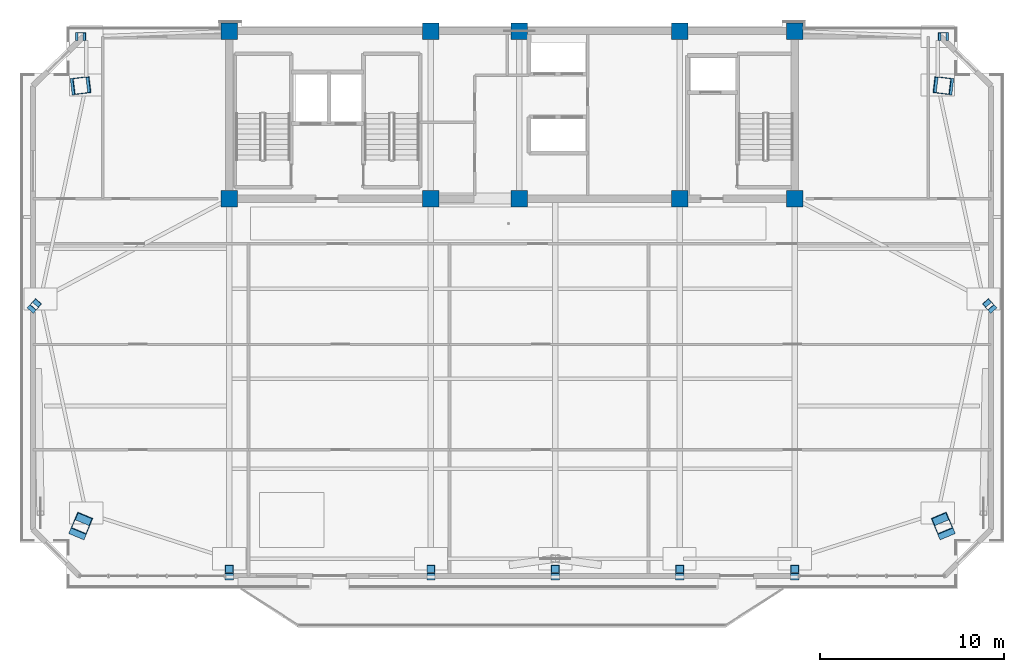
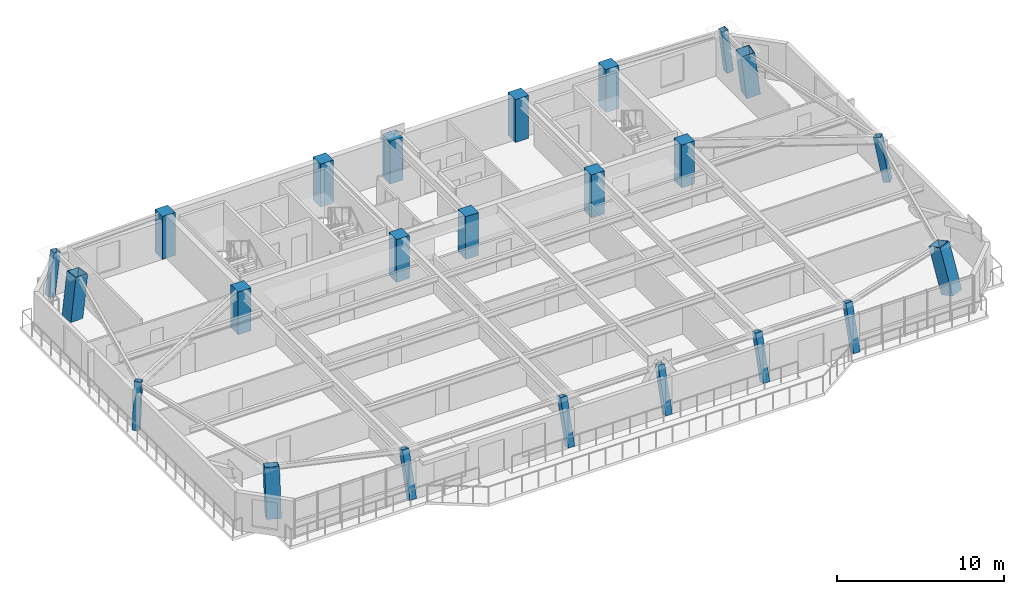
# One storey, part 1 of 15: 23 columns.
"""IFC4 building model written with IfcOpenShell, lengths in metres."""

from ifc_helpers import new_model, si_unit, direction, frame, origin, origin_2d, place, context, subcontext, project, spatial, rectangle, hollow_rectangle, extrude, source, transform, mapped, material, material_profile, profile_set, type_object, element, save


model = new_model("IFC4")

# Units and contexts
model_context = context("Model", 3, precision=1e-05, world=origin(), true_north=direction((0.0, 1.0)))
body_context = subcontext(model_context, "Body", "Model", "MODEL_VIEW")
ifc_project = project(units=[si_unit("LENGTHUNIT", "METRE"), si_unit("AREAUNIT", "SQUARE_METRE"), si_unit("VOLUMEUNIT", "CUBIC_METRE"), si_unit("PLANEANGLEUNIT", "RADIAN"), si_unit("MASSUNIT", "GRAM", prefix="KILO")], contexts=[model_context])

# Site, building, storey
site_placement = place(None, origin())
site = spatial("IfcSite", under=ifc_project, at=site_placement, CompositionType="ELEMENT")
building_placement = place(site_placement, origin())
building = spatial("IfcBuilding", under=site, at=building_placement, Name="Giltprow Tower", CompositionType="ELEMENT")
storey_placement = place(building_placement, frame((0.0, 0.0, 275.699951171875)))
storey = spatial("IfcBuildingStorey", under=building, at=storey_placement, Name="L71", CompositionType="ELEMENT", Elevation=275.699951171875)

# Columns
ifc_material_1 = material(Name="Concrete C45", Category="concrete")
ifc_material_profile_1 = material_profile(ifc_material_1, rectangle(XDim=0.89990234375, YDim=0.89990234375, at=origin_2d()), Name="RC 900x900")
ifc_profile_set_1 = profile_set([ifc_material_profile_1], Name="Concrete C45")
column_type_1 = type_object("IfcColumnType", Name="PIL-RC-900-C45", PredefinedType="PILASTER", material=ifc_profile_set_1)
shared_shape_1 = source(origin(), body_context, "Body", "SweptSolid", [
    extrude(rectangle(XDim=0.89990234375, YDim=0.89990234375, at=origin_2d()), origin(), (0.0, 0.0, 1.0), 3.14013671875),
])
for number, where, z_axis, x_axis, name in (
    (1, (19.85009765625, 37.449951171875, 0.0), (0.0, 0.0, 1.0), (1.0, 0.0, 0.0), "L71 Core Boundary Pilaster 1-1"),
    (2, (19.85009765625, 46.550048828125, 0.0), (0.0, 0.0, 1.0), (1.0, 0.0, 0.0), "L71 Core Boundary Pilaster 1-2"),
    (3, (30.800048828125, 37.449951171875, 0.0), (0.0, 0.0, 1.0), (1.0, 0.0, 0.0), "L71 Core Boundary Pilaster 2-1"),
    (4, (30.800048828125, 46.550048828125, 0.0), (0.0, 0.0, 1.0), (1.0, 0.0, 0.0), "L71 Core Boundary Pilaster 2-2"),
    (5, (35.60009765625, 37.449951171875, 0.0), (0.0, 0.0, 1.0), (1.0, 0.0, 0.0), "L71 Core Boundary Pilaster 3-1"),
    (6, (35.60009765625, 46.550048828125, 0.0), (0.0, 0.0, 1.0), (1.0, 0.0, 0.0), "L71 Core Boundary Pilaster 3-2"),
    (7, (44.300048828125, 37.449951171875, 0.0), (0.0, 0.0, 1.0), (1.0, 0.0, 0.0), "L71 Core Boundary Pilaster 4-1"),
    (8, (44.300048828125, 46.550048828125, 0.0), (0.0, 0.0, 1.0), (1.0, 0.0, 0.0), "L71 Core Boundary Pilaster 4-2"),
    (9, (50.550048828125, 37.449951171875, 0.0), (0.0, 0.0, 1.0), (1.0, 0.0, 0.0), "L71 Core Boundary Pilaster 5-1"),
    (10, (50.550048828125, 46.550048828125, 0.0), (0.0, 0.0, 1.0), (1.0, 0.0, 0.0), "L71 Core Boundary Pilaster 5-2"),
):
    element("IfcColumn", number, at=place(storey_placement, frame(where, z_axis=z_axis, x_axis=x_axis)), inside=storey, type_object=column_type_1, Name=name, PredefinedType="PILASTER", context=body_context, shape_type="MappedRepresentation", body=[
        mapped(shared_shape_1, transform((0.0, 0.0, 0.0), x_axis=(1.0, 0.0, 0.0), y_axis=(0.0, 1.0, 0.0), z_axis=(0.0, 0.0, 1.0), scale=1.0)),
    ])
ifc_material_2 = material(Name="Structural steel Q420GJC", Category="steel")
ifc_material_profile_2 = material_profile(ifc_material_2, hollow_rectangle(XDim=0.89990234375, YDim=0.89990234375, WallThickness=0.0400390625, at=origin_2d()), Name="BOX 900x900x40")
ifc_profile_set_2 = profile_set([ifc_material_profile_2], Name="Structural steel Q420GJC")
column_type_2 = type_object("IfcColumnType", Name="COL-BOX-900x900x40", PredefinedType="COLUMN", material=ifc_profile_set_2)
shared_shape_2 = source(origin(), body_context, "Body", "SweptSolid", [
    extrude(hollow_rectangle(XDim=0.89990234375, YDim=0.89990234375, WallThickness=0.0400390625, at=origin_2d()), origin(), (0.0, 0.0, 1.0), 3.283447265625),
])
column_1_placement = place(storey_placement, frame((11.717041015625, 19.4990234375, 0.0), z_axis=(0.112347812452, 0.269828068424, 0.956331941602), x_axis=(-0.92317473482, 0.384380552305, 0.0)))
element("IfcColumn", 11, at=column_1_placement, inside=storey, type_object=column_type_2, Name="L71 Mega-Column MC_SW", PredefinedType="COLUMN", context=body_context, shape_type="MappedRepresentation", body=[
    mapped(shared_shape_2, transform((0.0, 0.0, 0.0), x_axis=(1.0, 0.0, 0.0), y_axis=(0.0, 1.0, 0.0), z_axis=(0.0, 0.0, 1.0), scale=1.0)),
])
shared_shape_3 = source(origin(), body_context, "Body", "SweptSolid", [
    extrude(hollow_rectangle(XDim=0.89990234375, YDim=0.89990234375, WallThickness=0.0400390625, at=origin_2d()), origin(), (0.0, 0.0, 1.0), 3.28369140625),
])
column_2_placement = place(storey_placement, frame((58.68408203125, 19.4990234375, 0.0), z_axis=(-0.112714863405, 0.269816780538, 0.956291934771), x_axis=(-0.922722971107, -0.38546377079, 0.0)))
element("IfcColumn", 12, at=column_2_placement, inside=storey, type_object=column_type_2, Name="L71 Mega-Column MC_SE", PredefinedType="COLUMN", context=body_context, shape_type="MappedRepresentation", body=[
    mapped(shared_shape_3, transform((0.0, 0.0, 0.0), x_axis=(1.0, 0.0, 0.0), y_axis=(0.0, 1.0, 0.0), z_axis=(0.0, 0.0, 1.0), scale=1.0)),
])
shared_shape_4 = source(origin(), body_context, "Body", "SweptSolid", [
    extrude(hollow_rectangle(XDim=0.89990234375, YDim=0.89990234375, WallThickness=0.0400390625, at=origin_2d()), origin(), (0.0, 0.0, 1.0), 3.162109375),
])
for number, where, z_axis, x_axis, name in (
    (13, (11.717041015625, 43.576904296875, 0.0), (0.1166635759, 0.01428376012, 0.993068771161), (-0.121527982197, 0.992588005944, 0.0), "L71 Mega-Column MC_NW"),
    (14, (58.68408203125, 43.576904296875, 0.0), (-0.117044343461, 0.014283115792, 0.993023974669), (-0.121133055189, -0.992636279279, 0.0), "L71 Mega-Column MC_NE"),
):
    element("IfcColumn", number, at=place(storey_placement, frame(where, z_axis=z_axis, x_axis=x_axis)), inside=storey, type_object=column_type_2, Name=name, PredefinedType="COLUMN", context=body_context, shape_type="MappedRepresentation", body=[
        mapped(shared_shape_4, transform((0.0, 0.0, 0.0), x_axis=(1.0, 0.0, 0.0), y_axis=(0.0, 1.0, 0.0), z_axis=(0.0, 0.0, 1.0), scale=1.0)),
    ])
ifc_material_3 = material(Name="Structural steel Q355B", Category="steel")
ifc_material_profile_3 = material_profile(ifc_material_3, hollow_rectangle(XDim=0.449951171875, YDim=0.449951171875, WallThickness=0.02197265625, at=origin_2d()), Name="BOX 450x450x22")
ifc_profile_set_3 = profile_set([ifc_material_profile_3], Name="Structural steel Q355B")
column_type_3 = type_object("IfcColumnType", Name="COL-BOX-450x450x22", PredefinedType="COLUMN", material=ifc_profile_set_3)
shared_shape_5 = source(origin(), body_context, "Body", "SweptSolid", [
    extrude(hollow_rectangle(XDim=0.449951171875, YDim=0.449951171875, WallThickness=0.02197265625, at=origin_2d()), origin(), (0.0, 0.0, 1.0), 3.275390625),
])
for number, where, z_axis, x_axis, name in (
    (15, (19.85009765625, 16.97607421875, 0.0), (0.0, 0.284501961117, 0.958675458182), (-1.0, 0.0, 0.0), "L71 Perimeter Column S1"),
    (16, (30.800048828125, 16.97607421875, 0.0), (0.0, 0.284501961117, 0.958675458182), (-1.0, 0.0, 0.0), "L71 Perimeter Column S2"),
    (17, (37.550048828125, 16.97607421875, 0.0), (0.0, 0.284501961117, 0.958675458182), (-1.0, 0.0, 0.0), "L71 Perimeter Column S_MID"),
    (18, (44.300048828125, 16.97607421875, 0.0), (0.0, 0.284501961117, 0.958675458182), (-1.0, 0.0, 0.0), "L71 Perimeter Column S3"),
    (19, (50.550048828125, 16.97607421875, 0.0), (0.0, 0.284501961117, 0.958675458182), (-1.0, 0.0, 0.0), "L71 Perimeter Column S4"),
):
    element("IfcColumn", number, at=place(storey_placement, frame(where, z_axis=z_axis, x_axis=x_axis)), inside=storey, type_object=column_type_3, Name=name, PredefinedType="COLUMN", context=body_context, shape_type="MappedRepresentation", body=[
        mapped(shared_shape_5, transform((0.0, 0.0, 0.0), x_axis=(1.0, 0.0, 0.0), y_axis=(0.0, 1.0, 0.0), z_axis=(0.0, 0.0, 1.0), scale=1.0)),
    ])
shared_shape_6 = source(origin(), body_context, "Body", "SweptSolid", [
    extrude(hollow_rectangle(XDim=0.449951171875, YDim=0.449951171875, WallThickness=0.02197265625, at=origin_2d()), origin(), (0.0, 0.0, 1.0), 3.201416015625),
])
column_3_placement = place(storey_placement, frame((9.194091796875, 31.5380859375, 0.0), z_axis=(0.129563314182, 0.145501355773, 0.980837755741), x_axis=(-0.746825952664, 0.665019545899, 0.0)))
element("IfcColumn", 20, at=column_3_placement, inside=storey, type_object=column_type_3, Name="L71 Perimeter Column W_MID", PredefinedType="COLUMN", context=body_context, shape_type="MappedRepresentation", body=[
    mapped(shared_shape_6, transform((0.0, 0.0, 0.0), x_axis=(1.0, 0.0, 0.0), y_axis=(0.0, 1.0, 0.0), z_axis=(0.0, 0.0, 1.0), scale=1.0)),
])
shared_shape_7 = source(origin(), body_context, "Body", "SweptSolid", [
    extrude(hollow_rectangle(XDim=0.449951171875, YDim=0.449951171875, WallThickness=0.02197265625, at=origin_2d()), origin(), (0.0, 0.0, 1.0), 3.20166015625),
])
column_4_placement = place(storey_placement, frame((61.20703125, 31.5380859375, 0.0), z_axis=(-0.129938178607, 0.145494157736, 0.980789233121), x_axis=(-0.745854424638, -0.66610898301, 0.0)))
element("IfcColumn", 21, at=column_4_placement, inside=storey, type_object=column_type_3, Name="L71 Perimeter Column E_MID", PredefinedType="COLUMN", context=body_context, shape_type="MappedRepresentation", body=[
    mapped(shared_shape_7, transform((0.0, 0.0, 0.0), x_axis=(1.0, 0.0, 0.0), y_axis=(0.0, 1.0, 0.0), z_axis=(0.0, 0.0, 1.0), scale=1.0)),
])
shared_shape_8 = source(origin(), body_context, "Body", "SweptSolid", [
    extrude(hollow_rectangle(XDim=0.449951171875, YDim=0.449951171875, WallThickness=0.02197265625, at=origin_2d()), origin(), (0.0, 0.0, 1.0), 3.16162109375),
])
column_5_placement = place(storey_placement, frame((11.717041015625, 46.25, 0.0), z_axis=(0.116675478911, 0.0, 0.993170092492), x_axis=(0.0, 1.0, 0.0)))
element("IfcColumn", 22, at=column_5_placement, inside=storey, type_object=column_type_3, Name="L71 Perimeter Column N_W", PredefinedType="COLUMN", context=body_context, shape_type="MappedRepresentation", body=[
    mapped(shared_shape_8, transform((0.0, 0.0, 0.0), x_axis=(1.0, 0.0, 0.0), y_axis=(0.0, 1.0, 0.0), z_axis=(0.0, 0.0, 1.0), scale=1.0)),
])
shared_shape_9 = source(origin(), body_context, "Body", "SweptSolid", [
    extrude(hollow_rectangle(XDim=0.449951171875, YDim=0.449951171875, WallThickness=0.02197265625, at=origin_2d()), origin(), (0.0, 0.0, 1.0), 3.161865234375),
])
column_6_placement = place(storey_placement, frame((58.68408203125, 46.25, 0.0), z_axis=(-0.117056284244, 0.0, 0.993125282288), x_axis=(0.0, -1.0, 0.0)))
element("IfcColumn", 23, at=column_6_placement, inside=storey, type_object=column_type_3, Name="L71 Perimeter Column N_E", PredefinedType="COLUMN", context=body_context, shape_type="MappedRepresentation", body=[
    mapped(shared_shape_9, transform((0.0, 0.0, 0.0), x_axis=(1.0, 0.0, 0.0), y_axis=(0.0, 1.0, 0.0), z_axis=(0.0, 0.0, 1.0), scale=1.0)),
])

save(model, "model.ifc")
